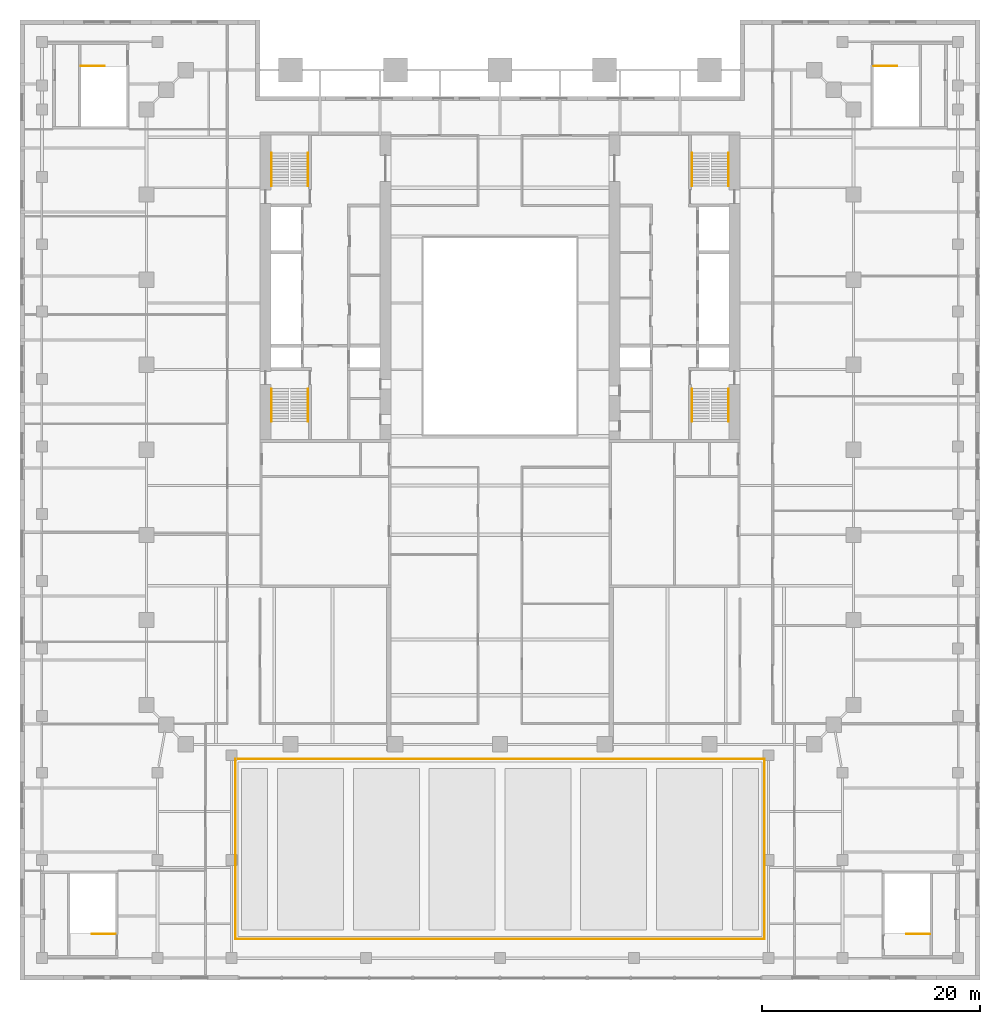
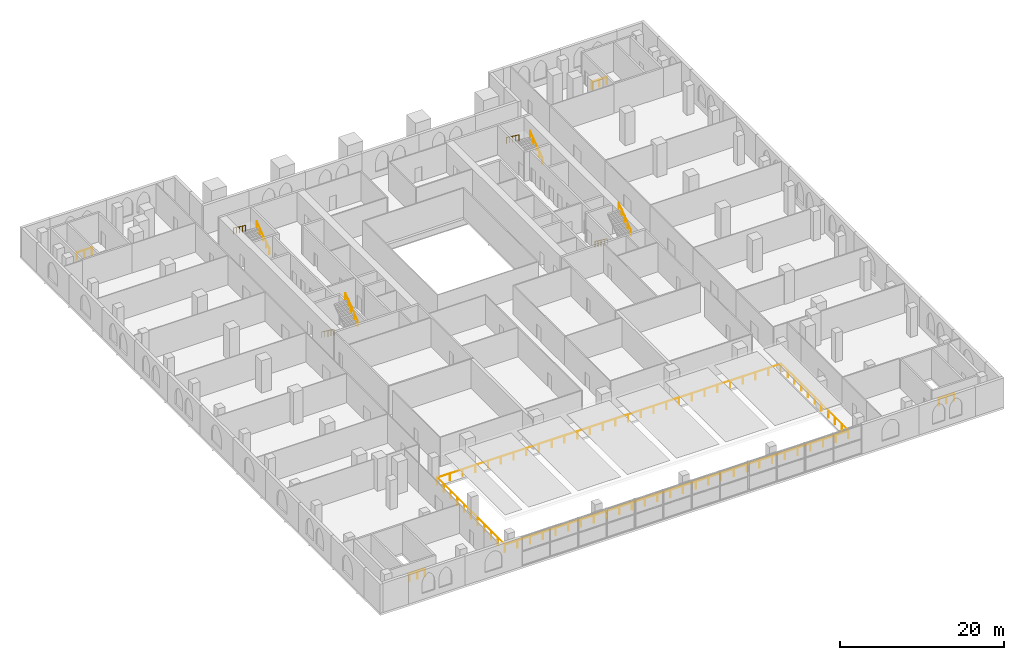
# One storey, part 18 of 18: 16 railings.
"""IFC4 building model written with IfcOpenShell, lengths in metres."""

from ifc_helpers import new_model, si_unit, direction, frame, origin, origin_2d, place, context, subcontext, project, spatial, circle, extrude, material, type_object, element, save


model = new_model("IFC4")

# Units and contexts
model_context = context("Model", 3, precision=1e-05, world=origin(), true_north=direction((0.0, 1.0)))
body_context = subcontext(model_context, "Body", "Model", "MODEL_VIEW")
ifc_project = project(units=[si_unit("LENGTHUNIT", "METRE"), si_unit("AREAUNIT", "SQUARE_METRE"), si_unit("VOLUMEUNIT", "CUBIC_METRE"), si_unit("PLANEANGLEUNIT", "RADIAN"), si_unit("MASSUNIT", "GRAM", prefix="KILO")], contexts=[model_context])

# Site, building, storey
site_placement = place(None, origin())
site = spatial("IfcSite", under=ifc_project, at=site_placement, CompositionType="ELEMENT")
building_placement = place(site_placement, origin())
building = spatial("IfcBuilding", under=site, at=building_placement, Name="Ogive Exchange Tower", CompositionType="ELEMENT")
storey_placement = place(building_placement, frame((0.0, 0.0, 28.800048828125)))
storey = spatial("IfcBuildingStorey", under=building, at=storey_placement, Name="L05", CompositionType="ELEMENT", Elevation=28.800048828125)

# Railings
ifc_material_1 = material(Name="Stainless steel 316", Category="steel")
railing_type_1 = type_object("IfcRailingType", Name="Balustrade 1100 glass and stainless steel", PredefinedType="BALUSTRADE", material=ifc_material_1)
railing_1_placement = place(storey_placement, frame((-24.25, -48.25, 0.0)))
element("IfcRailing", 1, at=railing_1_placement, inside=storey, type_object=railing_type_1, Name="Galleria edge balustrade 1", PredefinedType="BALUSTRADE", context=body_context, shape_type="SweptSolid", body=[
    extrude(circle(Radius=0.02392578125, at=origin_2d()), frame((0.0, 0.0, 1.076171875), z_axis=(1.0, 0.0, 0.0), x_axis=(0.0, 1.0, 0.0)), (0.0, 0.0, 1.0), 48.5),
    extrude(circle(Radius=0.02099609375, at=origin_2d()), origin(), (0.0, 0.0, 1.0), 1.052001953125),
    extrude(circle(Radius=0.02099609375, at=origin_2d()), frame((1.79638671875, 0.0, 0.0)), (0.0, 0.0, 1.0), 1.052001953125),
    extrude(circle(Radius=0.02099609375, at=origin_2d()), frame((3.592529296875, 0.0, 0.0)), (0.0, 0.0, 1.0), 1.052001953125),
    extrude(circle(Radius=0.02099609375, at=origin_2d()), frame((5.388916015625, 0.0, 0.0)), (0.0, 0.0, 1.0), 1.052001953125),
    extrude(circle(Radius=0.02099609375, at=origin_2d()), frame((7.185302734375, 0.0, 0.0)), (0.0, 0.0, 1.0), 1.052001953125),
    extrude(circle(Radius=0.02099609375, at=origin_2d()), frame((8.9814453125, 0.0, 0.0)), (0.0, 0.0, 1.0), 1.052001953125),
    extrude(circle(Radius=0.02099609375, at=origin_2d()), frame((10.77783203125, 0.0, 0.0)), (0.0, 0.0, 1.0), 1.052001953125),
    extrude(circle(Radius=0.02099609375, at=origin_2d()), frame((12.573974609375, 0.0, 0.0)), (0.0, 0.0, 1.0), 1.052001953125),
    extrude(circle(Radius=0.02099609375, at=origin_2d()), frame((14.370361328125, 0.0, 0.0)), (0.0, 0.0, 1.0), 1.052001953125),
    extrude(circle(Radius=0.02099609375, at=origin_2d()), frame((16.166748046875, 0.0, 0.0)), (0.0, 0.0, 1.0), 1.052001953125),
    extrude(circle(Radius=0.02099609375, at=origin_2d()), frame((17.962890625, 0.0, 0.0)), (0.0, 0.0, 1.0), 1.052001953125),
    extrude(circle(Radius=0.02099609375, at=origin_2d()), frame((19.75927734375, 0.0, 0.0)), (0.0, 0.0, 1.0), 1.052001953125),
    extrude(circle(Radius=0.02099609375, at=origin_2d()), frame((21.5556640625, 0.0, 0.0)), (0.0, 0.0, 1.0), 1.052001953125),
    extrude(circle(Radius=0.02099609375, at=origin_2d()), frame((23.351806640625, 0.0, 0.0)), (0.0, 0.0, 1.0), 1.052001953125),
    extrude(circle(Radius=0.02099609375, at=origin_2d()), frame((25.148193359375, 0.0, 0.0)), (0.0, 0.0, 1.0), 1.052001953125),
    extrude(circle(Radius=0.02099609375, at=origin_2d()), frame((26.9443359375, 0.0, 0.0)), (0.0, 0.0, 1.0), 1.052001953125),
    extrude(circle(Radius=0.02099609375, at=origin_2d()), frame((28.74072265625, 0.0, 0.0)), (0.0, 0.0, 1.0), 1.052001953125),
    extrude(circle(Radius=0.02099609375, at=origin_2d()), frame((30.537109375, 0.0, 0.0)), (0.0, 0.0, 1.0), 1.052001953125),
    extrude(circle(Radius=0.02099609375, at=origin_2d()), frame((32.333251953125, 0.0, 0.0)), (0.0, 0.0, 1.0), 1.052001953125),
    extrude(circle(Radius=0.02099609375, at=origin_2d()), frame((34.129638671875, 0.0, 0.0)), (0.0, 0.0, 1.0), 1.052001953125),
    extrude(circle(Radius=0.02099609375, at=origin_2d()), frame((35.926025390625, 0.0, 0.0)), (0.0, 0.0, 1.0), 1.052001953125),
    extrude(circle(Radius=0.02099609375, at=origin_2d()), frame((37.72216796875, 0.0, 0.0)), (0.0, 0.0, 1.0), 1.052001953125),
    extrude(circle(Radius=0.02099609375, at=origin_2d()), frame((39.5185546875, 0.0, 0.0)), (0.0, 0.0, 1.0), 1.052001953125),
    extrude(circle(Radius=0.02099609375, at=origin_2d()), frame((41.314697265625, 0.0, 0.0)), (0.0, 0.0, 1.0), 1.052001953125),
    extrude(circle(Radius=0.02099609375, at=origin_2d()), frame((43.111083984375, 0.0, 0.0)), (0.0, 0.0, 1.0), 1.052001953125),
    extrude(circle(Radius=0.02099609375, at=origin_2d()), frame((44.907470703125, 0.0, 0.0)), (0.0, 0.0, 1.0), 1.052001953125),
    extrude(circle(Radius=0.02099609375, at=origin_2d()), frame((46.70361328125, 0.0, 0.0)), (0.0, 0.0, 1.0), 1.052001953125),
    extrude(circle(Radius=0.02099609375, at=origin_2d()), frame((48.5, 0.0, 0.0)), (0.0, 0.0, 1.0), 1.052001953125),
])
railing_2_placement = place(storey_placement, frame((24.25, -48.25, 0.0)))
element("IfcRailing", 2, at=railing_2_placement, inside=storey, type_object=railing_type_1, Name="Galleria edge balustrade 2", PredefinedType="BALUSTRADE", context=body_context, shape_type="SweptSolid", body=[
    extrude(circle(Radius=0.02392578125, at=origin_2d()), frame((0.0, 0.0, 1.076171875), z_axis=(0.0, 1.0, 0.0), x_axis=(-1.0, 0.0, 0.0)), (0.0, 0.0, 1.0), 16.5),
    extrude(circle(Radius=0.02099609375, at=origin_2d()), origin(), (0.0, 0.0, 1.0), 1.052001953125),
    extrude(circle(Radius=0.02099609375, at=origin_2d()), frame((0.0, 1.64990234375, 0.0)), (0.0, 0.0, 1.0), 1.052001953125),
    extrude(circle(Radius=0.02099609375, at=origin_2d()), frame((0.0, 3.300048828125, 0.0)), (0.0, 0.0, 1.0), 1.052001953125),
    extrude(circle(Radius=0.02099609375, at=origin_2d()), frame((0.0, 4.949951171875, 0.0)), (0.0, 0.0, 1.0), 1.052001953125),
    extrude(circle(Radius=0.02099609375, at=origin_2d()), frame((0.0, 6.60009765625, 0.0)), (0.0, 0.0, 1.0), 1.052001953125),
    extrude(circle(Radius=0.02099609375, at=origin_2d()), frame((0.0, 8.25, 0.0)), (0.0, 0.0, 1.0), 1.052001953125),
    extrude(circle(Radius=0.02099609375, at=origin_2d()), frame((0.0, 9.89990234375, 0.0)), (0.0, 0.0, 1.0), 1.052001953125),
    extrude(circle(Radius=0.02099609375, at=origin_2d()), frame((0.0, 11.550048828125, 0.0)), (0.0, 0.0, 1.0), 1.052001953125),
    extrude(circle(Radius=0.02099609375, at=origin_2d()), frame((0.0, 13.199951171875, 0.0)), (0.0, 0.0, 1.0), 1.052001953125),
    extrude(circle(Radius=0.02099609375, at=origin_2d()), frame((0.0, 14.85009765625, 0.0)), (0.0, 0.0, 1.0), 1.052001953125),
    extrude(circle(Radius=0.02099609375, at=origin_2d()), frame((0.0, 16.5, 0.0)), (0.0, 0.0, 1.0), 1.052001953125),
])
railing_3_placement = place(storey_placement, frame((24.25, -31.75, 0.0)))
element("IfcRailing", 3, at=railing_3_placement, inside=storey, type_object=railing_type_1, Name="Galleria edge balustrade 3", PredefinedType="BALUSTRADE", context=body_context, shape_type="SweptSolid", body=[
    extrude(circle(Radius=0.02392578125, at=origin_2d()), frame((0.0, 0.0, 1.076171875), z_axis=(-1.0, 0.0, 0.0), x_axis=(0.0, -1.0, 0.0)), (0.0, 0.0, 1.0), 48.5),
    extrude(circle(Radius=0.02099609375, at=origin_2d()), origin(), (0.0, 0.0, 1.0), 1.052001953125),
    extrude(circle(Radius=0.02099609375, at=origin_2d()), frame((-1.79638671875, 0.0, 0.0)), (0.0, 0.0, 1.0), 1.052001953125),
    extrude(circle(Radius=0.02099609375, at=origin_2d()), frame((-3.592529296875, 0.0, 0.0)), (0.0, 0.0, 1.0), 1.052001953125),
    extrude(circle(Radius=0.02099609375, at=origin_2d()), frame((-5.388916015625, 0.0, 0.0)), (0.0, 0.0, 1.0), 1.052001953125),
    extrude(circle(Radius=0.02099609375, at=origin_2d()), frame((-7.185302734375, 0.0, 0.0)), (0.0, 0.0, 1.0), 1.052001953125),
    extrude(circle(Radius=0.02099609375, at=origin_2d()), frame((-8.9814453125, 0.0, 0.0)), (0.0, 0.0, 1.0), 1.052001953125),
    extrude(circle(Radius=0.02099609375, at=origin_2d()), frame((-10.77783203125, 0.0, 0.0)), (0.0, 0.0, 1.0), 1.052001953125),
    extrude(circle(Radius=0.02099609375, at=origin_2d()), frame((-12.573974609375, 0.0, 0.0)), (0.0, 0.0, 1.0), 1.052001953125),
    extrude(circle(Radius=0.02099609375, at=origin_2d()), frame((-14.370361328125, 0.0, 0.0)), (0.0, 0.0, 1.0), 1.052001953125),
    extrude(circle(Radius=0.02099609375, at=origin_2d()), frame((-16.166748046875, 0.0, 0.0)), (0.0, 0.0, 1.0), 1.052001953125),
    extrude(circle(Radius=0.02099609375, at=origin_2d()), frame((-17.962890625, 0.0, 0.0)), (0.0, 0.0, 1.0), 1.052001953125),
    extrude(circle(Radius=0.02099609375, at=origin_2d()), frame((-19.75927734375, 0.0, 0.0)), (0.0, 0.0, 1.0), 1.052001953125),
    extrude(circle(Radius=0.02099609375, at=origin_2d()), frame((-21.5556640625, 0.0, 0.0)), (0.0, 0.0, 1.0), 1.052001953125),
    extrude(circle(Radius=0.02099609375, at=origin_2d()), frame((-23.351806640625, 0.0, 0.0)), (0.0, 0.0, 1.0), 1.052001953125),
    extrude(circle(Radius=0.02099609375, at=origin_2d()), frame((-25.148193359375, 0.0, 0.0)), (0.0, 0.0, 1.0), 1.052001953125),
    extrude(circle(Radius=0.02099609375, at=origin_2d()), frame((-26.9443359375, 0.0, 0.0)), (0.0, 0.0, 1.0), 1.052001953125),
    extrude(circle(Radius=0.02099609375, at=origin_2d()), frame((-28.74072265625, 0.0, 0.0)), (0.0, 0.0, 1.0), 1.052001953125),
    extrude(circle(Radius=0.02099609375, at=origin_2d()), frame((-30.537109375, 0.0, 0.0)), (0.0, 0.0, 1.0), 1.052001953125),
    extrude(circle(Radius=0.02099609375, at=origin_2d()), frame((-32.333251953125, 0.0, 0.0)), (0.0, 0.0, 1.0), 1.052001953125),
    extrude(circle(Radius=0.02099609375, at=origin_2d()), frame((-34.129638671875, 0.0, 0.0)), (0.0, 0.0, 1.0), 1.052001953125),
    extrude(circle(Radius=0.02099609375, at=origin_2d()), frame((-35.926025390625, 0.0, 0.0)), (0.0, 0.0, 1.0), 1.052001953125),
    extrude(circle(Radius=0.02099609375, at=origin_2d()), frame((-37.72216796875, 0.0, 0.0)), (0.0, 0.0, 1.0), 1.052001953125),
    extrude(circle(Radius=0.02099609375, at=origin_2d()), frame((-39.5185546875, 0.0, 0.0)), (0.0, 0.0, 1.0), 1.052001953125),
    extrude(circle(Radius=0.02099609375, at=origin_2d()), frame((-41.314697265625, 0.0, 0.0)), (0.0, 0.0, 1.0), 1.052001953125),
    extrude(circle(Radius=0.02099609375, at=origin_2d()), frame((-43.111083984375, 0.0, 0.0)), (0.0, 0.0, 1.0), 1.052001953125),
    extrude(circle(Radius=0.02099609375, at=origin_2d()), frame((-44.907470703125, 0.0, 0.0)), (0.0, 0.0, 1.0), 1.052001953125),
    extrude(circle(Radius=0.02099609375, at=origin_2d()), frame((-46.70361328125, 0.0, 0.0)), (0.0, 0.0, 1.0), 1.052001953125),
    extrude(circle(Radius=0.02099609375, at=origin_2d()), frame((-48.5, 0.0, 0.0)), (0.0, 0.0, 1.0), 1.052001953125),
])
railing_4_placement = place(storey_placement, frame((-24.25, -31.75, 0.0)))
element("IfcRailing", 4, at=railing_4_placement, inside=storey, type_object=railing_type_1, Name="Galleria edge balustrade 4", PredefinedType="BALUSTRADE", context=body_context, shape_type="SweptSolid", body=[
    extrude(circle(Radius=0.02392578125, at=origin_2d()), frame((0.0, 0.0, 1.076171875), z_axis=(0.0, -1.0, 0.0), x_axis=(1.0, 0.0, 0.0)), (0.0, 0.0, 1.0), 16.5),
    extrude(circle(Radius=0.02099609375, at=origin_2d()), origin(), (0.0, 0.0, 1.0), 1.052001953125),
    extrude(circle(Radius=0.02099609375, at=origin_2d()), frame((0.0, -1.64990234375, 0.0)), (0.0, 0.0, 1.0), 1.052001953125),
    extrude(circle(Radius=0.02099609375, at=origin_2d()), frame((0.0, -3.300048828125, 0.0)), (0.0, 0.0, 1.0), 1.052001953125),
    extrude(circle(Radius=0.02099609375, at=origin_2d()), frame((0.0, -4.949951171875, 0.0)), (0.0, 0.0, 1.0), 1.052001953125),
    extrude(circle(Radius=0.02099609375, at=origin_2d()), frame((0.0, -6.60009765625, 0.0)), (0.0, 0.0, 1.0), 1.052001953125),
    extrude(circle(Radius=0.02099609375, at=origin_2d()), frame((0.0, -8.25, 0.0)), (0.0, 0.0, 1.0), 1.052001953125),
    extrude(circle(Radius=0.02099609375, at=origin_2d()), frame((0.0, -9.89990234375, 0.0)), (0.0, 0.0, 1.0), 1.052001953125),
    extrude(circle(Radius=0.02099609375, at=origin_2d()), frame((0.0, -11.550048828125, 0.0)), (0.0, 0.0, 1.0), 1.052001953125),
    extrude(circle(Radius=0.02099609375, at=origin_2d()), frame((0.0, -13.199951171875, 0.0)), (0.0, 0.0, 1.0), 1.052001953125),
    extrude(circle(Radius=0.02099609375, at=origin_2d()), frame((0.0, -14.85009765625, 0.0)), (0.0, 0.0, 1.0), 1.052001953125),
    extrude(circle(Radius=0.02099609375, at=origin_2d()), frame((0.0, -16.5, 0.0)), (0.0, 0.0, 1.0), 1.052001953125),
])
ifc_material_2 = material(Name="Stainless steel", Category="steel")
railing_type_2 = type_object("IfcRailingType", Name="Stair guard 1100", PredefinedType="GUARDRAIL", material=ifc_material_2)
for number, where, name in (
    (5, (-35.25, -47.800048828125, 0.0), "L05 PS1 top well guard 1"),
    (6, (39.39990234375, -47.800048828125, 0.0), "L05 PS2 top well guard 1"),
):
    element("IfcRailing", number, at=place(storey_placement, frame(where)), inside=storey, type_object=railing_type_2, Name=name, PredefinedType="GUARDRAIL", context=body_context, shape_type="SweptSolid", body=[
        extrude(circle(Radius=0.02392578125, at=origin_2d()), frame((0.0, 0.0, 1.076171875), z_axis=(-1.0, 0.0, 0.0), x_axis=(0.0, -1.0, 0.0)), (0.0, 0.0, 1.0), 2.14990234375),
        extrude(circle(Radius=0.02099609375, at=origin_2d()), origin(), (0.0, 0.0, 1.0), 1.052001953125),
        extrude(circle(Radius=0.02099609375, at=origin_2d()), frame((-1.074951171875, 0.0, 0.0)), (0.0, 0.0, 1.0), 1.052001953125),
        extrude(circle(Radius=0.02099609375, at=origin_2d()), frame((-2.14990234375, 0.0, 0.0)), (0.0, 0.0, 1.0), 1.052001953125),
    ])
for number, where, name in (
    (7, (-38.39990234375, 31.800048828125, 0.0), "L05 PS3 top well guard 1"),
    (8, (34.25, 31.800048828125, 0.0), "L05 PS4 top well guard 1"),
):
    element("IfcRailing", number, at=place(storey_placement, frame(where)), inside=storey, type_object=railing_type_2, Name=name, PredefinedType="GUARDRAIL", context=body_context, shape_type="SweptSolid", body=[
        extrude(circle(Radius=0.02392578125, at=origin_2d()), frame((0.0, 0.0, 1.076171875), z_axis=(1.0, 0.0, 0.0), x_axis=(0.0, 1.0, 0.0)), (0.0, 0.0, 1.0), 2.14990234375),
        extrude(circle(Radius=0.02099609375, at=origin_2d()), origin(), (0.0, 0.0, 1.0), 1.052001953125),
        extrude(circle(Radius=0.02099609375, at=origin_2d()), frame((1.074951171875, 0.0, 0.0)), (0.0, 0.0, 1.0), 1.052001953125),
        extrude(circle(Radius=0.02099609375, at=origin_2d()), frame((2.14990234375, 0.0, 0.0)), (0.0, 0.0, 1.0), 1.052001953125),
    ])
railing_type_3 = type_object("IfcRailingType", Name="Stair handrail 900", PredefinedType="HANDRAIL", material=ifc_material_2)
railing_5_placement = place(storey_placement, frame((-20.949951171875, 2.199951171875, 0.1845703125)))
element("IfcRailing", 9, at=railing_5_placement, inside=storey, type_object=railing_type_3, Name="L05 ST1 stair handrail 1", PredefinedType="HANDRAIL", context=body_context, shape_type="SweptSolid", body=[
    extrude(circle(Radius=0.02392578125, at=origin_2d()), frame((0.0, 0.0, 0.8759765625), z_axis=(0.0, -0.804440004972, 0.594033903411), x_axis=(1.0, 0.0, 0.0)), (0.0, 0.0, 1.0), 3.729248046875),
    extrude(circle(Radius=0.02099609375, at=origin_2d()), origin(), (0.0, 0.0, 1.0), 0.851806640625),
    extrude(circle(Radius=0.02099609375, at=origin_2d()), frame((0.0, -0.75, 0.5537109375)), (0.0, 0.0, 1.0), 0.851806640625),
    extrude(circle(Radius=0.02099609375, at=origin_2d()), frame((0.0, -1.5, 1.107666015625)), (0.0, 0.0, 1.0), 0.851806640625),
    extrude(circle(Radius=0.02099609375, at=origin_2d()), frame((0.0, -2.25, 1.66162109375)), (0.0, 0.0, 1.0), 0.851806640625),
    extrude(circle(Radius=0.02099609375, at=origin_2d()), frame((0.0, -3.0, 2.21533203125)), (0.0, 0.0, 1.0), 0.851806640625),
])
railing_6_placement = place(storey_placement, frame((-17.60009765625, -0.800048828125, 2.58447265625)))
element("IfcRailing", 10, at=railing_6_placement, inside=storey, type_object=railing_type_3, Name="L05 ST1 stair handrail 2", PredefinedType="HANDRAIL", context=body_context, shape_type="SweptSolid", body=[
    extrude(circle(Radius=0.02392578125, at=origin_2d()), frame((0.0, 0.0, 0.8759765625), z_axis=(0.0, 0.804408721428, 0.594076265214), x_axis=(-1.0, 0.0, 0.0)), (0.0, 0.0, 1.0), 3.7294921875),
    extrude(circle(Radius=0.02099609375, at=origin_2d()), origin(), (0.0, 0.0, 1.0), 0.851806640625),
    extrude(circle(Radius=0.02099609375, at=origin_2d()), frame((0.0, 0.75, 0.553955078125)), (0.0, 0.0, 1.0), 0.851806640625),
    extrude(circle(Radius=0.02099609375, at=origin_2d()), frame((0.0, 1.5, 1.10791015625)), (0.0, 0.0, 1.0), 0.851806640625),
    extrude(circle(Radius=0.02099609375, at=origin_2d()), frame((0.0, 2.25, 1.66162109375)), (0.0, 0.0, 1.0), 0.851806640625),
    extrude(circle(Radius=0.02099609375, at=origin_2d()), frame((0.0, 3.0, 2.215576171875)), (0.0, 0.0, 1.0), 0.851806640625),
])
railing_7_placement = place(storey_placement, frame((-17.60009765625, 20.800048828125, 0.1845703125)))
element("IfcRailing", 11, at=railing_7_placement, inside=storey, type_object=railing_type_3, Name="L05 ST2 stair handrail 1", PredefinedType="HANDRAIL", context=body_context, shape_type="SweptSolid", body=[
    extrude(circle(Radius=0.02392578125, at=origin_2d()), frame((0.0, 0.0, 0.8759765625), z_axis=(0.0, 0.804440004972, 0.594033903411), x_axis=(-1.0, 0.0, 0.0)), (0.0, 0.0, 1.0), 3.729248046875),
    extrude(circle(Radius=0.02099609375, at=origin_2d()), origin(), (0.0, 0.0, 1.0), 0.851806640625),
    extrude(circle(Radius=0.02099609375, at=origin_2d()), frame((0.0, 0.75, 0.5537109375)), (0.0, 0.0, 1.0), 0.851806640625),
    extrude(circle(Radius=0.02099609375, at=origin_2d()), frame((0.0, 1.5, 1.107666015625)), (0.0, 0.0, 1.0), 0.851806640625),
    extrude(circle(Radius=0.02099609375, at=origin_2d()), frame((0.0, 2.25, 1.66162109375)), (0.0, 0.0, 1.0), 0.851806640625),
    extrude(circle(Radius=0.02099609375, at=origin_2d()), frame((0.0, 3.0, 2.21533203125)), (0.0, 0.0, 1.0), 0.851806640625),
])
railing_8_placement = place(storey_placement, frame((-20.949951171875, 23.800048828125, 2.58447265625)))
element("IfcRailing", 12, at=railing_8_placement, inside=storey, type_object=railing_type_3, Name="L05 ST2 stair handrail 2", PredefinedType="HANDRAIL", context=body_context, shape_type="SweptSolid", body=[
    extrude(circle(Radius=0.02392578125, at=origin_2d()), frame((0.0, 0.0, 0.8759765625), z_axis=(0.0, -0.804408721428, 0.594076265214), x_axis=(1.0, 0.0, 0.0)), (0.0, 0.0, 1.0), 3.7294921875),
    extrude(circle(Radius=0.02099609375, at=origin_2d()), origin(), (0.0, 0.0, 1.0), 0.851806640625),
    extrude(circle(Radius=0.02099609375, at=origin_2d()), frame((0.0, -0.75, 0.553955078125)), (0.0, 0.0, 1.0), 0.851806640625),
    extrude(circle(Radius=0.02099609375, at=origin_2d()), frame((0.0, -1.5, 1.10791015625)), (0.0, 0.0, 1.0), 0.851806640625),
    extrude(circle(Radius=0.02099609375, at=origin_2d()), frame((0.0, -2.25, 1.66162109375)), (0.0, 0.0, 1.0), 0.851806640625),
    extrude(circle(Radius=0.02099609375, at=origin_2d()), frame((0.0, -3.0, 2.215576171875)), (0.0, 0.0, 1.0), 0.851806640625),
])
railing_9_placement = place(storey_placement, frame((17.60009765625, 2.199951171875, 0.1845703125)))
element("IfcRailing", 13, at=railing_9_placement, inside=storey, type_object=railing_type_3, Name="L05 ST3 stair handrail 1", PredefinedType="HANDRAIL", context=body_context, shape_type="SweptSolid", body=[
    extrude(circle(Radius=0.02392578125, at=origin_2d()), frame((0.0, 0.0, 0.8759765625), z_axis=(0.0, -0.804440004972, 0.594033903411), x_axis=(1.0, 0.0, 0.0)), (0.0, 0.0, 1.0), 3.729248046875),
    extrude(circle(Radius=0.02099609375, at=origin_2d()), origin(), (0.0, 0.0, 1.0), 0.851806640625),
    extrude(circle(Radius=0.02099609375, at=origin_2d()), frame((0.0, -0.75, 0.5537109375)), (0.0, 0.0, 1.0), 0.851806640625),
    extrude(circle(Radius=0.02099609375, at=origin_2d()), frame((0.0, -1.5, 1.107666015625)), (0.0, 0.0, 1.0), 0.851806640625),
    extrude(circle(Radius=0.02099609375, at=origin_2d()), frame((0.0, -2.25, 1.66162109375)), (0.0, 0.0, 1.0), 0.851806640625),
    extrude(circle(Radius=0.02099609375, at=origin_2d()), frame((0.0, -3.0, 2.21533203125)), (0.0, 0.0, 1.0), 0.851806640625),
])
railing_10_placement = place(storey_placement, frame((20.949951171875, -0.800048828125, 2.58447265625)))
element("IfcRailing", 14, at=railing_10_placement, inside=storey, type_object=railing_type_3, Name="L05 ST3 stair handrail 2", PredefinedType="HANDRAIL", context=body_context, shape_type="SweptSolid", body=[
    extrude(circle(Radius=0.02392578125, at=origin_2d()), frame((0.0, 0.0, 0.8759765625), z_axis=(0.0, 0.804408721428, 0.594076265214), x_axis=(-1.0, 0.0, 0.0)), (0.0, 0.0, 1.0), 3.7294921875),
    extrude(circle(Radius=0.02099609375, at=origin_2d()), origin(), (0.0, 0.0, 1.0), 0.851806640625),
    extrude(circle(Radius=0.02099609375, at=origin_2d()), frame((0.0, 0.75, 0.553955078125)), (0.0, 0.0, 1.0), 0.851806640625),
    extrude(circle(Radius=0.02099609375, at=origin_2d()), frame((0.0, 1.5, 1.10791015625)), (0.0, 0.0, 1.0), 0.851806640625),
    extrude(circle(Radius=0.02099609375, at=origin_2d()), frame((0.0, 2.25, 1.66162109375)), (0.0, 0.0, 1.0), 0.851806640625),
    extrude(circle(Radius=0.02099609375, at=origin_2d()), frame((0.0, 3.0, 2.215576171875)), (0.0, 0.0, 1.0), 0.851806640625),
])
railing_11_placement = place(storey_placement, frame((20.949951171875, 20.800048828125, 0.1845703125)))
element("IfcRailing", 15, at=railing_11_placement, inside=storey, type_object=railing_type_3, Name="L05 ST4 stair handrail 1", PredefinedType="HANDRAIL", context=body_context, shape_type="SweptSolid", body=[
    extrude(circle(Radius=0.02392578125, at=origin_2d()), frame((0.0, 0.0, 0.8759765625), z_axis=(0.0, 0.804440004972, 0.594033903411), x_axis=(-1.0, 0.0, 0.0)), (0.0, 0.0, 1.0), 3.729248046875),
    extrude(circle(Radius=0.02099609375, at=origin_2d()), origin(), (0.0, 0.0, 1.0), 0.851806640625),
    extrude(circle(Radius=0.02099609375, at=origin_2d()), frame((0.0, 0.75, 0.5537109375)), (0.0, 0.0, 1.0), 0.851806640625),
    extrude(circle(Radius=0.02099609375, at=origin_2d()), frame((0.0, 1.5, 1.107666015625)), (0.0, 0.0, 1.0), 0.851806640625),
    extrude(circle(Radius=0.02099609375, at=origin_2d()), frame((0.0, 2.25, 1.66162109375)), (0.0, 0.0, 1.0), 0.851806640625),
    extrude(circle(Radius=0.02099609375, at=origin_2d()), frame((0.0, 3.0, 2.21533203125)), (0.0, 0.0, 1.0), 0.851806640625),
])
railing_12_placement = place(storey_placement, frame((17.60009765625, 23.800048828125, 2.58447265625)))
element("IfcRailing", 16, at=railing_12_placement, inside=storey, type_object=railing_type_3, Name="L05 ST4 stair handrail 2", PredefinedType="HANDRAIL", context=body_context, shape_type="SweptSolid", body=[
    extrude(circle(Radius=0.02392578125, at=origin_2d()), frame((0.0, 0.0, 0.8759765625), z_axis=(0.0, -0.804408721428, 0.594076265214), x_axis=(1.0, 0.0, 0.0)), (0.0, 0.0, 1.0), 3.7294921875),
    extrude(circle(Radius=0.02099609375, at=origin_2d()), origin(), (0.0, 0.0, 1.0), 0.851806640625),
    extrude(circle(Radius=0.02099609375, at=origin_2d()), frame((0.0, -0.75, 0.553955078125)), (0.0, 0.0, 1.0), 0.851806640625),
    extrude(circle(Radius=0.02099609375, at=origin_2d()), frame((0.0, -1.5, 1.10791015625)), (0.0, 0.0, 1.0), 0.851806640625),
    extrude(circle(Radius=0.02099609375, at=origin_2d()), frame((0.0, -2.25, 1.66162109375)), (0.0, 0.0, 1.0), 0.851806640625),
    extrude(circle(Radius=0.02099609375, at=origin_2d()), frame((0.0, -3.0, 2.215576171875)), (0.0, 0.0, 1.0), 0.851806640625),
])

save(model, "model.ifc")
